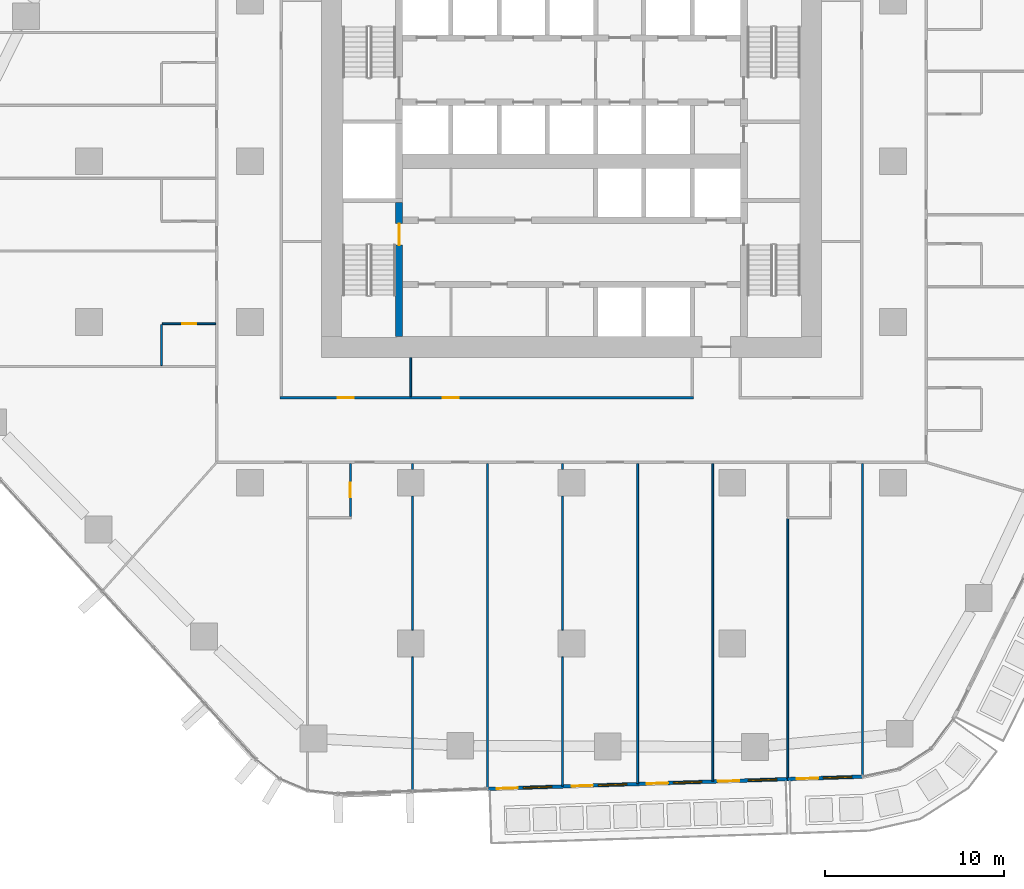
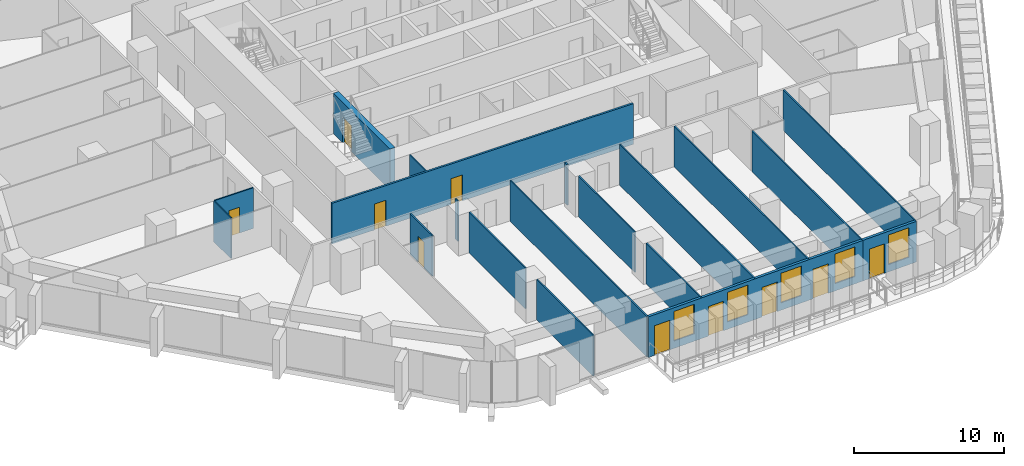
# One storey, part 13 of 27: 19 walls, 10 doors, 5 windows, 15 openings.
"""IFC4 building model written with IfcOpenShell, lengths in metres."""

import ifcopenshell
import ifcopenshell.guid

model = None  # the IFC model being written
_history = None  # IfcOwnerHistory: only IFC2X3 demands one
_inside = {}  # id of a spatial element -> (the spatial element, [elements in it])
_under = {}  # id of a project, library or spatial element -> (it, [spatial elements below it])
_declared = {}  # id of a project -> (the project, [libraries it declares])
_typed = {}  # id of a type object -> (the type object, [elements of that type])
_made_of = {}  # id of a material, layer set ... -> (it, [elements and type objects made of it])


def new_model(schema):
    """Start an empty IFC model of exactly this schema.

    Asked for "IFC4X3", IfcOpenShell would pick the latest addendum, in which some entities
    have other attributes; the version numbers below select the first issue.
    IFC2X3 requires an IfcOwnerHistory on every rooted entity: one is made here for all.
    """
    global model, _history
    if schema == "IFC4X3":
        model = ifcopenshell.file(schema_version=(4, 3, 0, 0))
    else:
        model = ifcopenshell.file(schema=schema)
    _inside.clear()
    _under.clear()
    _declared.clear()
    _typed.clear()
    _made_of.clear()
    _history = None
    if model.schema == "IFC2X3":
        org = make("IfcOrganization", Name="unknown")
        user = make(
            "IfcPersonAndOrganization",
            ThePerson=make("IfcPerson", FamilyName="unknown"),
            TheOrganization=org,
        )
        app = make(
            "IfcApplication",
            ApplicationDeveloper=org,
            Version="unknown",
            ApplicationFullName="unknown",
            ApplicationIdentifier="unknown",
        )
        _history = make(
            "IfcOwnerHistory",
            OwningUser=user,
            OwningApplication=app,
            ChangeAction="ADDED",
            CreationDate=0,
        )
    return model


def make(cls, **values):
    """One entity of the class cls with the attributes given. An attribute that is None is left unset."""
    return model.create_entity(
        cls, **{name: value for name, value in values.items() if value is not None}
    )


def rooted(cls, **values):
    """An entity with a GlobalId (a new one), such as an element, a storey or a relation."""
    return make(cls, GlobalId=ifcopenshell.guid.new(), OwnerHistory=_history, **values)


def si_unit(unit_type, name, prefix=None):
    """IfcSIUnit, for example si_unit("LENGTHUNIT", "METRE", prefix="MILLI")."""
    return make("IfcSIUnit", UnitType=unit_type, Prefix=prefix, Name=name)


def assignment(units):
    """IfcUnitAssignment: the units of a project."""
    return None if units is None else make("IfcUnitAssignment", Units=units)


def point(xyz):
    """IfcCartesianPoint."""
    return None if xyz is None else make("IfcCartesianPoint", Coordinates=xyz)


def direction(xyz):
    """IfcDirection."""
    return None if xyz is None else make("IfcDirection", DirectionRatios=xyz)


def frame(location, z_axis=None, x_axis=None):
    """IfcAxis2Placement3D, a coordinate frame: its origin and axes. An axis left out is left unset."""
    return make(
        "IfcAxis2Placement3D",
        Location=point(location),
        Axis=direction(z_axis),
        RefDirection=direction(x_axis),
    )


def frame_2d(location, x_axis=None):
    """IfcAxis2Placement2D, a coordinate frame in the plane: its origin and x axis."""
    return make(
        "IfcAxis2Placement2D", Location=point(location), RefDirection=direction(x_axis)
    )


def origin():
    """The frame at (0, 0, 0) with its axes left unset."""
    return frame((0.0, 0.0, 0.0))


def place(relative_to, where):
    """IfcLocalPlacement: puts the frame where relative to a parent placement (None: the world)."""
    return make(
        "IfcLocalPlacement", PlacementRelTo=relative_to, RelativePlacement=where
    )


def context(
    kind, dimensions, precision=None, world=None, true_north=None, identifier=None
):
    """IfcGeometricRepresentationContext, for example the 3D "Model" context."""
    return make(
        "IfcGeometricRepresentationContext",
        ContextIdentifier=identifier,
        ContextType=kind,
        CoordinateSpaceDimension=dimensions,
        Precision=precision,
        WorldCoordinateSystem=world,
        TrueNorth=true_north,
    )


def subcontext(parent, identifier, kind, view, scale=None):
    """IfcGeometricRepresentationSubContext, for example "Body" below "Model"."""
    return make(
        "IfcGeometricRepresentationSubContext",
        ContextIdentifier=identifier,
        ContextType=kind,
        ParentContext=parent,
        TargetScale=scale,
        TargetView=view,
    )


def project(units=None, contexts=None):
    """IfcProject with its units and contexts."""
    return rooted(
        "IfcProject",
        Name="project",
        RepresentationContexts=contexts,
        UnitsInContext=assignment(units),
    )


def spatial(cls, under=None, at=None, **own):
    """A site, building, storey or space (cls), placed at a placement, below another one or the project."""
    s = rooted(cls, ObjectPlacement=at, **own)
    if under is not None:
        _under.setdefault(under.id(), (under, []))[1].append(s)
    return s


def profile(cls, at=None, kind="AREA", **sizes):
    """A parametric profile (cls). Its sizes go by their IFC names, for example OverallWidth=200.0."""
    return make(cls, ProfileType=kind, Position=at, **sizes)


def rectangle(**sizes):
    """IfcRectangleProfileDef."""
    return profile("IfcRectangleProfileDef", **sizes)


def extrude(swept, where, along, depth):
    """IfcExtrudedAreaSolid: the profile swept, set in the frame where, extruded along a direction by depth."""
    return make(
        "IfcExtrudedAreaSolid",
        SweptArea=swept,
        Position=where,
        ExtrudedDirection=direction(along),
        Depth=depth,
    )


def shape(context_of_items, identifier, shape_type, items):
    """IfcShapeRepresentation: the items that make up one representation, for example the "Body"."""
    return make(
        "IfcShapeRepresentation",
        ContextOfItems=context_of_items,
        RepresentationIdentifier=identifier,
        RepresentationType=shape_type,
        Items=items,
    )


def material(Name=None, Category=None):
    """IfcMaterial."""
    return make("IfcMaterial", Name=Name, Category=Category)


def layer(
    of_material, thickness, ventilated=None, Name=None, Category=None, Priority=None
):
    """IfcMaterialLayer: one layer of a wall or slab, of a material (None: an air gap)."""
    return make(
        "IfcMaterialLayer",
        Material=of_material,
        LayerThickness=thickness,
        IsVentilated=ventilated,
        Name=Name,
        Category=Category,
        Priority=Priority,
    )


def layer_set(layers, Name=None):
    """IfcMaterialLayerSet."""
    return make("IfcMaterialLayerSet", MaterialLayers=layers, LayerSetName=Name)


def made_of(thing, what):
    """Note that an element or type object is made of a material, layer set ...; save() writes the relation."""
    if what is not None:
        _made_of.setdefault(what.id(), (what, []))[1].append(thing)
    return thing


def type_object(cls, material=None, **own):
    """A type object (cls), such as IfcWallType, which elements share."""
    return made_of(rooted(cls, **own), material)


def element(
    cls,
    number,
    at=None,
    inside=None,
    cuts=None,
    type_object=None,
    material=None,
    context=None,
    identifier="Body",
    shape_type=None,
    held_by="IfcProductDefinitionShape",
    body=None,
    shapes=None,
    **own,
):
    """One element of the class cls, such as IfcWall. Its Tag is "e" and its number.

    at: its placement. inside: the storey or other place that contains it. cuts: it is an
    opening in that element (IfcRelVoidsElement). A single representation is given by context,
    identifier, shape_type and body (its items); several are given by shapes. held_by: the class
    of the entity that holds the representations. save() writes the other relations.
    """
    e = rooted(cls, Tag="e%d" % number, ObjectPlacement=at, **own)
    if body is not None:
        shapes = [shape(context, identifier, shape_type, body)]
    if shapes is not None:
        e.Representation = make(held_by, Representations=shapes)
    if inside is not None:
        _inside.setdefault(inside.id(), (inside, []))[1].append(e)
    if cuts is not None:
        rooted(
            "IfcRelVoidsElement", RelatingBuildingElement=cuts, RelatedOpeningElement=e
        )
    if type_object is not None:
        _typed.setdefault(type_object.id(), (type_object, []))[1].append(e)
    return made_of(e, material)


def fill(opening, filler):
    """IfcRelFillsElement: the door or window that sits in an opening."""
    return rooted(
        "IfcRelFillsElement",
        RelatingOpeningElement=opening,
        RelatedBuildingElement=filler,
    )


def aggregate(whole, parts):
    """IfcRelAggregates: a whole, such as a stair, and the parts it consists of."""
    return rooted("IfcRelAggregates", RelatingObject=whole, RelatedObjects=parts)


def save(model, path):
    """Write the relations noted so far, then the file.

    IfcRelAggregates (storeys below a building ...), IfcRelContainedInSpatialStructure (elements
    in a storey), IfcRelDefinesByType, IfcRelAssociatesMaterial and IfcRelDeclares: one each for
    every whole, place, type object, material and project.
    """
    for whole, parts in _under.values():
        aggregate(whole, parts)
    for where, things in _inside.values():
        rooted(
            "IfcRelContainedInSpatialStructure",
            RelatedElements=things,
            RelatingStructure=where,
        )
    for kind, things in _typed.values():
        rooted("IfcRelDefinesByType", RelatedObjects=things, RelatingType=kind)
    for what, things in _made_of.values():
        rooted("IfcRelAssociatesMaterial", RelatedObjects=things, RelatingMaterial=what)
    for by, libraries in _declared.values():
        rooted("IfcRelDeclares", RelatingContext=by, RelatedDefinitions=libraries)
    model.write(path)


model = new_model("IFC4")

# Units and contexts
model_context = context("Model", 3, precision=1e-05, world=origin(), true_north=direction((0.0, 1.0)))
body_context = subcontext(model_context, "Body", "Model", "MODEL_VIEW")
ifc_project = project(units=[si_unit("LENGTHUNIT", "METRE"), si_unit("AREAUNIT", "SQUARE_METRE"), si_unit("VOLUMEUNIT", "CUBIC_METRE"), si_unit("PLANEANGLEUNIT", "RADIAN"), si_unit("MASSUNIT", "GRAM", prefix="KILO")], contexts=[model_context])

# Site, building, storey
site_placement = place(None, origin())
site = spatial("IfcSite", under=ifc_project, at=site_placement, CompositionType="ELEMENT")
building_placement = place(site_placement, origin())
building = spatial("IfcBuilding", under=site, at=building_placement, Name="Dongbaek Canopy Tower", CompositionType="ELEMENT")
storey_placement = place(building_placement, frame((0.0, 0.0, 58.800048828125)))
storey = spatial("IfcBuildingStorey", under=building, at=storey_placement, Name="L10", CompositionType="ELEMENT", Elevation=58.800048828125)

# Wall, openings, doors
ifc_material_1 = material(Name="Gypsum board partition, steel stud, 2 x 15 mm fire board", Category="steel")
ifc_layer_1 = layer(ifc_material_1, 0.14990234375)
ifc_layer_set_1 = layer_set([ifc_layer_1], Name="Fire-rated partition 150 gypsum board")
wall_type_1 = type_object("IfcWallType", Name="Fire-rated partition 150 gypsum board", PredefinedType="PARTITIONING", material=ifc_layer_set_1)
wall_1_placement = place(storey_placement, frame((-16.324951171875, -13.25, 0.0), z_axis=(0.0, 0.0, 1.0), x_axis=(1.0, 0.0, 0.0)))
wall_1 = element("IfcWall", 1, at=wall_1_placement, inside=storey, type_object=wall_type_1, Name="Corridor partition", PredefinedType="PARTITIONING", context=body_context, shape_type="SweptSolid", body=[
    extrude(rectangle(XDim=23.14990234375, YDim=0.14990234375, at=frame_2d((11.574951171875, 0.0))), origin(), (0.0, 0.0, 1.0), 3.300048828125),
])
opening_1_placement = place(wall_1_placement, frame((3.25, 0.0, 0.0)))
opening_1 = element("IfcOpeningElement", 2, at=opening_1_placement, cuts=wall_1, Name="Opening L10-D036", PredefinedType="OPENING", context=body_context, shape_type="SweptSolid", body=[
    extrude(rectangle(XDim=0.89990234375, YDim=2.10009765625, at=frame_2d((0.449951171875, 1.050048828125))), frame((0.0, 0.0849609375, 0.0), z_axis=(0.0, -1.0, 0.0), x_axis=(1.0, 0.0, 0.0)), (0.0, 0.0, 1.0), 0.169921875),
])
opening_2_placement = place(wall_1_placement, frame((9.125, 0.0, 0.0)))
opening_2 = element("IfcOpeningElement", 3, at=opening_2_placement, cuts=wall_1, Name="Opening L10-D037", PredefinedType="OPENING", context=body_context, shape_type="SweptSolid", body=[
    extrude(rectangle(XDim=0.89990234375, YDim=2.10009765625, at=frame_2d((0.449951171875, 1.050048828125))), frame((0.0, 0.0849609375, 0.0), z_axis=(0.0, -1.0, 0.0), x_axis=(1.0, 0.0, 0.0)), (0.0, 0.0, 1.0), 0.169921875),
])
ifc_material_2 = material(Name="Timber veneered door leaf", Category="wood")
door_type_1 = type_object("IfcDoorType", Name="Room door 900 x 2100", OperationType="SINGLE_SWING_LEFT", PredefinedType="DOOR", material=ifc_material_2)
door_1_placement = place(opening_1_placement, origin())
door_1 = element("IfcDoor", 4, at=door_1_placement, inside=storey, type_object=door_type_1, Name="Door L10-D036", OperationType="SINGLE_SWING_LEFT", OverallHeight=2.10009765625, OverallWidth=0.89990234375, PredefinedType="DOOR", context=body_context, shape_type="SweptSolid", body=[
    extrude(rectangle(XDim=0.89990234375, YDim=2.10009765625, at=frame_2d((0.449951171875, 1.050048828125))), frame((0.0, 0.02490234375, 0.0), z_axis=(0.0, -1.0, 0.0), x_axis=(1.0, 0.0, 0.0)), (0.0, 0.0, 1.0), 0.050048828125),
])
fill(opening_1, door_1)
door_2_placement = place(opening_2_placement, origin())
door_2 = element("IfcDoor", 5, at=door_2_placement, inside=storey, type_object=door_type_1, Name="Door L10-D037", OperationType="SINGLE_SWING_RIGHT", OverallHeight=2.10009765625, OverallWidth=0.89990234375, PredefinedType="DOOR", context=body_context, shape_type="SweptSolid", body=[
    extrude(rectangle(XDim=0.89990234375, YDim=2.10009765625, at=frame_2d((0.449951171875, 1.050048828125))), frame((0.0, 0.02490234375, 0.0), z_axis=(0.0, -1.0, 0.0), x_axis=(1.0, 0.0, 0.0)), (0.0, 0.0, 1.0), 0.050048828125),
])
fill(opening_2, door_2)

# Wall, opening, door
ifc_material_3 = material(Name="Gypsum board partition, steel stud, 2 x 12.5 mm board", Category="steel")
ifc_layer_2 = layer(ifc_material_3, 0.10009765625)
ifc_layer_set_2 = layer_set([ifc_layer_2], Name="Partition 100 gypsum board")
wall_type_2 = type_object("IfcWallType", Name="Partition 100 gypsum board", PredefinedType="PARTITIONING", material=ifc_layer_set_2)
wall_2_placement = place(storey_placement, frame((-19.925048828125, -9.097900390625, 0.0), z_axis=(0.0, 0.0, 1.0), x_axis=(-1.0, 0.0, 0.0)))
wall_2 = element("IfcWall", 6, at=wall_2_placement, inside=storey, type_object=wall_type_2, Name="Partition", PredefinedType="PARTITIONING", context=body_context, shape_type="SweptSolid", body=[
    extrude(rectangle(XDim=2.974853515625, YDim=0.10009765625, at=frame_2d((1.4873046875, 0.0))), origin(), (0.0, 0.0, 1.0), 3.300048828125),
])
opening_3_placement = place(wall_2_placement, frame((1.074951171875, 0.0, 0.0)))
opening_3 = element("IfcOpeningElement", 7, at=opening_3_placement, cuts=wall_2, Name="Opening L10-D003", PredefinedType="OPENING", context=body_context, shape_type="SweptSolid", body=[
    extrude(rectangle(XDim=0.800048828125, YDim=2.10009765625, at=frame_2d((0.39990234375, 1.050048828125))), frame((0.0, 0.06005859375, 0.0), z_axis=(0.0, -1.0, 0.0), x_axis=(1.0, 0.0, 0.0)), (0.0, 0.0, 1.0), 0.1201171875),
])
ifc_material_4 = material(Name="Timber veneered door leaf", Category="wood")
door_type_2 = type_object("IfcDoorType", Name="En-suite door 800 x 2100", OperationType="SINGLE_SWING_LEFT", PredefinedType="DOOR", material=ifc_material_4)
door_3_placement = place(opening_3_placement, origin())
door_3 = element("IfcDoor", 8, at=door_3_placement, inside=storey, type_object=door_type_2, Name="Door L10-D003", OperationType="SINGLE_SWING_RIGHT", OverallHeight=2.10009765625, OverallWidth=0.800048828125, PredefinedType="DOOR", context=body_context, shape_type="SweptSolid", body=[
    extrude(rectangle(XDim=0.800048828125, YDim=2.10009765625, at=frame_2d((0.39990234375, 1.050048828125))), frame((0.0, 0.02490234375, 0.0), z_axis=(0.0, -1.0, 0.0), x_axis=(1.0, 0.0, 0.0)), (0.0, 0.0, 1.0), 0.050048828125),
])
fill(opening_3, door_3)

# Walls
wall_3_placement = place(storey_placement, frame((16.2890625, -34.429931640625, 0.0), z_axis=(0.0, 0.0, 1.0), x_axis=(0.0, 1.0, 0.0)))
element("IfcWall", 9, at=wall_3_placement, inside=storey, type_object=wall_type_2, Name="Partition", PredefinedType="PARTITIONING", context=body_context, shape_type="SweptSolid", body=[
    extrude(rectangle(XDim=17.5048828125, YDim=0.10009765625, at=frame_2d((8.75244140625, 0.0))), origin(), (0.0, 0.0, 1.0), 3.300048828125),
])
wall_4_placement = place(storey_placement, frame((12.09912109375, -34.5673828125, 0.0), z_axis=(0.0, 0.0, 1.0), x_axis=(0.0, 1.0, 0.0)))
element("IfcWall", 10, at=wall_4_placement, inside=storey, type_object=wall_type_2, Name="Partition", PredefinedType="PARTITIONING", context=body_context, shape_type="SweptSolid", body=[
    extrude(rectangle(XDim=14.5673828125, YDim=0.10009765625, at=frame_2d((7.28369140625, 0.0))), origin(), (0.0, 0.0, 1.0), 3.300048828125),
])
wall_5_placement = place(storey_placement, frame((7.89990234375, -34.704345703125, 0.0), z_axis=(0.0, 0.0, 1.0), x_axis=(0.0, 1.0, 0.0)))
element("IfcWall", 11, at=wall_5_placement, inside=storey, type_object=wall_type_2, Name="Partition", PredefinedType="PARTITIONING", context=body_context, shape_type="SweptSolid", body=[
    extrude(rectangle(XDim=17.779296875, YDim=0.10009765625, at=frame_2d((8.8896484375, 0.0))), origin(), (0.0, 0.0, 1.0), 3.300048828125),
])
wall_6_placement = place(storey_placement, frame((3.700927734375, -34.841552734375, 0.0), z_axis=(0.0, 0.0, 1.0), x_axis=(0.0, 1.0, 0.0)))
element("IfcWall", 12, at=wall_6_placement, inside=storey, type_object=wall_type_2, Name="Partition", PredefinedType="PARTITIONING", context=body_context, shape_type="SweptSolid", body=[
    extrude(rectangle(XDim=17.91650390625, YDim=0.10009765625, at=frame_2d((8.958251953125, 0.0))), origin(), (0.0, 0.0, 1.0), 3.300048828125),
])
wall_7_placement = place(storey_placement, frame((-0.498046875, -34.978759765625, 0.0), z_axis=(0.0, 0.0, 1.0), x_axis=(0.0, 1.0, 0.0)))
element("IfcWall", 13, at=wall_7_placement, inside=storey, type_object=wall_type_2, Name="Partition", PredefinedType="PARTITIONING", context=body_context, shape_type="SweptSolid", body=[
    extrude(rectangle(XDim=7.228759765625, YDim=0.10009765625, at=frame_2d((3.6142578125, 0.0))), origin(), (0.0, 0.0, 1.0), 3.300048828125),
])
wall_8_placement = place(storey_placement, frame((-0.498046875, -26.25, 0.0), z_axis=(0.0, 0.0, 1.0), x_axis=(0.0, 1.0, 0.0)))
element("IfcWall", 14, at=wall_8_placement, inside=storey, type_object=wall_type_2, Name="Partition", PredefinedType="PARTITIONING", context=body_context, shape_type="SweptSolid", body=[
    extrude(rectangle(XDim=7.5, YDim=0.10009765625, at=frame_2d((3.75, 0.0))), origin(), (0.0, 0.0, 1.0), 3.300048828125),
])
wall_9_placement = place(storey_placement, frame((-0.498046875, -17.25, 0.0), z_axis=(0.0, 0.0, 1.0), x_axis=(0.0, 1.0, 0.0)))
element("IfcWall", 15, at=wall_9_placement, inside=storey, type_object=wall_type_2, Name="Partition", PredefinedType="PARTITIONING", context=body_context, shape_type="SweptSolid", body=[
    extrude(rectangle(XDim=0.324951171875, YDim=0.10009765625, at=frame_2d((0.16259765625, 0.0))), origin(), (0.0, 0.0, 1.0), 3.300048828125),
])
wall_10_placement = place(storey_placement, frame((-4.696044921875, -35.11572265625, 0.0), z_axis=(0.0, 0.0, 1.0), x_axis=(0.0, 1.0, 0.0)))
element("IfcWall", 16, at=wall_10_placement, inside=storey, type_object=wall_type_2, Name="Partition", PredefinedType="PARTITIONING", context=body_context, shape_type="SweptSolid", body=[
    extrude(rectangle(XDim=18.190673828125, YDim=0.10009765625, at=frame_2d((9.09521484375, 0.0))), origin(), (0.0, 0.0, 1.0), 3.300048828125),
])
wall_11_placement = place(storey_placement, frame((-8.89501953125, -35.2529296875, 0.0), z_axis=(0.0, 0.0, 1.0), x_axis=(0.0, 1.0, 0.0)))
element("IfcWall", 17, at=wall_11_placement, inside=storey, type_object=wall_type_2, Name="Partition", PredefinedType="PARTITIONING", context=body_context, shape_type="SweptSolid", body=[
    extrude(rectangle(XDim=7.5029296875, YDim=0.10009765625, at=frame_2d((3.75146484375, 0.0))), origin(), (0.0, 0.0, 1.0), 3.300048828125),
])
wall_12_placement = place(storey_placement, frame((-8.89501953125, -26.25, 0.0), z_axis=(0.0, 0.0, 1.0), x_axis=(0.0, 1.0, 0.0)))
element("IfcWall", 18, at=wall_12_placement, inside=storey, type_object=wall_type_2, Name="Partition", PredefinedType="PARTITIONING", context=body_context, shape_type="SweptSolid", body=[
    extrude(rectangle(XDim=7.5, YDim=0.10009765625, at=frame_2d((3.75, 0.0))), origin(), (0.0, 0.0, 1.0), 3.300048828125),
])
wall_13_placement = place(storey_placement, frame((-8.89501953125, -17.25, 0.0), z_axis=(0.0, 0.0, 1.0), x_axis=(0.0, 1.0, 0.0)))
element("IfcWall", 19, at=wall_13_placement, inside=storey, type_object=wall_type_2, Name="Partition", PredefinedType="PARTITIONING", context=body_context, shape_type="SweptSolid", body=[
    extrude(rectangle(XDim=0.324951171875, YDim=0.10009765625, at=frame_2d((0.16259765625, 0.0))), origin(), (0.0, 0.0, 1.0), 3.300048828125),
])
wall_14_placement = place(storey_placement, frame((-9.0, -13.175048828125, 0.0), z_axis=(0.0, 0.0, 1.0), x_axis=(0.0, 1.0, 0.0)))
element("IfcWall", 20, at=wall_14_placement, inside=storey, type_object=wall_type_2, Name="Partition", PredefinedType="PARTITIONING", context=body_context, shape_type="SweptSolid", body=[
    extrude(rectangle(XDim=2.175048828125, YDim=0.10009765625, at=frame_2d((1.08740234375, 0.0))), origin(), (0.0, 0.0, 1.0), 3.300048828125),
])

# Wall, opening, door
wall_15_placement = place(storey_placement, frame((-12.3740234375, -19.89990234375, 0.0), z_axis=(0.0, 0.0, 1.0), x_axis=(0.0, 1.0, 0.0)))
wall_15 = element("IfcWall", 21, at=wall_15_placement, inside=storey, type_object=wall_type_2, Name="Partition", PredefinedType="PARTITIONING", context=body_context, shape_type="SweptSolid", body=[
    extrude(rectangle(XDim=2.974853515625, YDim=0.10009765625, at=frame_2d((1.4873046875, 0.0))), origin(), (0.0, 0.0, 1.0), 3.300048828125),
])
opening_4_placement = place(wall_15_placement, frame((1.10009765625, 0.0, 0.0)))
opening_4 = element("IfcOpeningElement", 22, at=opening_4_placement, cuts=wall_15, Name="Opening L10-D007", PredefinedType="OPENING", context=body_context, shape_type="SweptSolid", body=[
    extrude(rectangle(XDim=0.800048828125, YDim=2.10009765625, at=frame_2d((0.39990234375, 1.050048828125))), frame((0.0, 0.06005859375, 0.0), z_axis=(0.0, -1.0, 0.0), x_axis=(1.0, 0.0, 0.0)), (0.0, 0.0, 1.0), 0.1201171875),
])
door_4_placement = place(opening_4_placement, origin())
door_4 = element("IfcDoor", 23, at=door_4_placement, inside=storey, type_object=door_type_2, Name="Door L10-D007", OperationType="SINGLE_SWING_LEFT", OverallHeight=2.10009765625, OverallWidth=0.800048828125, PredefinedType="DOOR", context=body_context, shape_type="SweptSolid", body=[
    extrude(rectangle(XDim=0.800048828125, YDim=2.10009765625, at=frame_2d((0.39990234375, 1.050048828125))), frame((0.0, 0.02490234375, 0.0), z_axis=(0.0, -1.0, 0.0), x_axis=(1.0, 0.0, 0.0)), (0.0, 0.0, 1.0), 0.050048828125),
])
fill(opening_4, door_4)

# Wall
wall_16_placement = place(storey_placement, frame((-22.949951171875, -11.447509765625, 0.0), z_axis=(0.0, 0.0, 1.0), x_axis=(0.0, 1.0, 0.0)))
element("IfcWall", 24, at=wall_16_placement, inside=storey, type_object=wall_type_2, Name="Partition", PredefinedType="PARTITIONING", context=body_context, shape_type="SweptSolid", body=[
    extrude(rectangle(XDim=2.2998046875, YDim=0.10009765625, at=frame_2d((1.14990234375, 0.0))), origin(), (0.0, 0.0, 1.0), 3.300048828125),
])

# Wall, opening, door
ifc_material_5 = material(Name="Concrete C60/75", Category="concrete")
ifc_layer_3 = layer(ifc_material_5, 0.39990234375)
ifc_layer_set_3 = layer_set([ifc_layer_3], Name="Stair wall 400 Concrete C60/75")
wall_type_3 = type_object("IfcWallType", Name="Stair wall 400 Concrete C60/75", PredefinedType="SHEAR", material=ifc_layer_set_3)
wall_17_placement = place(storey_placement, frame((-9.64990234375, -9.800048828125, 0.0), z_axis=(0.0, 0.0, 1.0), x_axis=(0.0, 1.0, 0.0)))
wall_17 = element("IfcWall", 25, at=wall_17_placement, inside=storey, type_object=wall_type_3, Name="Stair wall", PredefinedType="SHEAR", context=body_context, shape_type="SweptSolid", body=[
    extrude(rectangle(XDim=7.5, YDim=0.39990234375, at=frame_2d((3.75, 0.0))), origin(), (0.0, 0.0, 1.0), 3.300048828125),
])
opening_5_placement = place(wall_17_placement, frame((5.10009765625, 0.0, 0.0)))
opening_5 = element("IfcOpeningElement", 26, at=opening_5_placement, cuts=wall_17, Name="Opening L10-D071", PredefinedType="OPENING", context=body_context, shape_type="SweptSolid", body=[
    extrude(rectangle(XDim=1.199951171875, YDim=2.10009765625, at=frame_2d((0.60009765625, 1.050048828125))), frame((0.0, 0.2099609375, 0.0), z_axis=(0.0, -1.0, 0.0), x_axis=(1.0, 0.0, 0.0)), (0.0, 0.0, 1.0), 0.419921875),
])
ifc_material_6 = material(Name="Steel", Category="steel")
door_type_3 = type_object("IfcDoorType", Name="Stair door 1200 x 2100", OperationType="SINGLE_SWING_LEFT", PredefinedType="DOOR", material=ifc_material_6)
door_5_placement = place(opening_5_placement, origin())
door_5 = element("IfcDoor", 27, at=door_5_placement, inside=storey, type_object=door_type_3, Name="Stair D door", OperationType="SINGLE_SWING_LEFT", OverallHeight=2.10009765625, OverallWidth=1.199951171875, PredefinedType="DOOR", context=body_context, shape_type="SweptSolid", body=[
    extrude(rectangle(XDim=1.199951171875, YDim=2.10009765625, at=frame_2d((0.60009765625, 1.050048828125))), frame((0.0, 0.02490234375, 0.0), z_axis=(0.0, -1.0, 0.0), x_axis=(1.0, 0.0, 0.0)), (0.0, 0.0, 1.0), 0.050048828125),
])
fill(opening_5, door_5)

# Wall, openings, doors, windows
ifc_material_7 = material(Name="Aluminium window wall", Category="aluminium")
ifc_layer_4 = layer(ifc_material_7, 0.199951171875)
ifc_layer_set_4 = layer_set([ifc_layer_4], Name="Window wall 200")
wall_type_4 = type_object("IfcWallType", Name="Window wall 200", PredefinedType="SOLIDWALL", material=ifc_layer_set_4)
wall_18_placement = place(storey_placement, frame((-4.696533203125, -35.1357421875, 0.0), z_axis=(0.0, 0.0, 1.0), x_axis=(0.999466983916, 0.032645796998, 0.0)))
wall_18 = element("IfcWall", 28, at=wall_18_placement, inside=storey, type_object=wall_type_4, Name="Window wall L10 4", PredefinedType="SOLIDWALL", context=body_context, shape_type="SweptSolid", body=[
    extrude(rectangle(XDim=16.80419921875, YDim=0.199951171875, at=frame_2d((8.402099609375, 0.0))), origin(), (0.0, 0.0, 1.0), 3.300048828125),
])
opening_6_placement = place(wall_18_placement, frame((2.0, 0.0, 0.60009765625)))
opening_6 = element("IfcOpeningElement", 29, at=opening_6_placement, cuts=wall_18, Name="Opening W1", PredefinedType="OPENING", context=body_context, shape_type="SweptSolid", body=[
    extrude(rectangle(XDim=1.60009765625, YDim=2.39990234375, at=frame_2d((0.800048828125, 1.199951171875))), frame((0.0, 0.10986328125, 0.0), z_axis=(0.0, -1.0, 0.0), x_axis=(1.0, 0.0, 0.0)), (0.0, 0.0, 1.0), 0.219970703125),
])
opening_7_placement = place(wall_18_placement, frame((0.5, 0.0, 0.0)))
opening_7 = element("IfcOpeningElement", 30, at=opening_7_placement, cuts=wall_18, Name="Opening L10-B18", PredefinedType="OPENING", context=body_context, shape_type="SweptSolid", body=[
    extrude(rectangle(XDim=1.199951171875, YDim=2.39990234375, at=frame_2d((0.60009765625, 1.199951171875))), frame((0.0, 0.10986328125, 0.0), z_axis=(0.0, -1.0, 0.0), x_axis=(1.0, 0.0, 0.0)), (0.0, 0.0, 1.0), 0.219970703125),
])
opening_8_placement = place(wall_18_placement, frame((6.200927734375, 0.0, 0.60009765625)))
opening_8 = element("IfcOpeningElement", 31, at=opening_8_placement, cuts=wall_18, Name="Opening W1", PredefinedType="OPENING", context=body_context, shape_type="SweptSolid", body=[
    extrude(rectangle(XDim=1.60009765625, YDim=2.39990234375, at=frame_2d((0.800048828125, 1.199951171875))), frame((0.0, 0.10986328125, 0.0), z_axis=(0.0, -1.0, 0.0), x_axis=(1.0, 0.0, 0.0)), (0.0, 0.0, 1.0), 0.219970703125),
])
opening_9_placement = place(wall_18_placement, frame((4.700927734375, 0.0, 0.0)))
opening_9 = element("IfcOpeningElement", 32, at=opening_9_placement, cuts=wall_18, Name="Opening L10-B19", PredefinedType="OPENING", context=body_context, shape_type="SweptSolid", body=[
    extrude(rectangle(XDim=1.199951171875, YDim=2.39990234375, at=frame_2d((0.60009765625, 1.199951171875))), frame((0.0, 0.10986328125, 0.0), z_axis=(0.0, -1.0, 0.0), x_axis=(1.0, 0.0, 0.0)), (0.0, 0.0, 1.0), 0.219970703125),
])
opening_10_placement = place(wall_18_placement, frame((10.402099609375, 0.0, 0.60009765625)))
opening_10 = element("IfcOpeningElement", 33, at=opening_10_placement, cuts=wall_18, Name="Opening W1", PredefinedType="OPENING", context=body_context, shape_type="SweptSolid", body=[
    extrude(rectangle(XDim=1.60009765625, YDim=2.39990234375, at=frame_2d((0.800048828125, 1.199951171875))), frame((0.0, 0.10986328125, 0.0), z_axis=(0.0, -1.0, 0.0), x_axis=(1.0, 0.0, 0.0)), (0.0, 0.0, 1.0), 0.219970703125),
])
opening_11_placement = place(wall_18_placement, frame((8.902099609375, 0.0, 0.0)))
opening_11 = element("IfcOpeningElement", 34, at=opening_11_placement, cuts=wall_18, Name="Opening L10-B20", PredefinedType="OPENING", context=body_context, shape_type="SweptSolid", body=[
    extrude(rectangle(XDim=1.199951171875, YDim=2.39990234375, at=frame_2d((0.60009765625, 1.199951171875))), frame((0.0, 0.10986328125, 0.0), z_axis=(0.0, -1.0, 0.0), x_axis=(1.0, 0.0, 0.0)), (0.0, 0.0, 1.0), 0.219970703125),
])
opening_12_placement = place(wall_18_placement, frame((14.60302734375, 0.0, 0.60009765625)))
opening_12 = element("IfcOpeningElement", 35, at=opening_12_placement, cuts=wall_18, Name="Opening W1", PredefinedType="OPENING", context=body_context, shape_type="SweptSolid", body=[
    extrude(rectangle(XDim=1.60009765625, YDim=2.39990234375, at=frame_2d((0.800048828125, 1.199951171875))), frame((0.0, 0.10986328125, 0.0), z_axis=(0.0, -1.0, 0.0), x_axis=(1.0, 0.0, 0.0)), (0.0, 0.0, 1.0), 0.219970703125),
])
opening_13_placement = place(wall_18_placement, frame((12.903076171875, 0.0, 0.0)))
opening_13 = element("IfcOpeningElement", 36, at=opening_13_placement, cuts=wall_18, Name="Opening L10-B21", PredefinedType="OPENING", context=body_context, shape_type="SweptSolid", body=[
    extrude(rectangle(XDim=1.199951171875, YDim=2.39990234375, at=frame_2d((0.60009765625, 1.199951171875))), frame((0.0, 0.10986328125, 0.0), z_axis=(0.0, -1.0, 0.0), x_axis=(1.0, 0.0, 0.0)), (0.0, 0.0, 1.0), 0.219970703125),
])
ifc_material_8 = material(Name="Clear glazing in aluminium frame", Category="aluminium")
door_type_4 = type_object("IfcDoorType", Name="Balcony door BD1 1200 x 2400", OperationType="SLIDING_TO_LEFT", PredefinedType="DOOR", material=ifc_material_8)
door_6_placement = place(opening_7_placement, origin())
door_6 = element("IfcDoor", 37, at=door_6_placement, inside=storey, type_object=door_type_4, Name="Balcony door L10-B18", OperationType="SLIDING_TO_LEFT", OverallHeight=2.39990234375, OverallWidth=1.199951171875, PredefinedType="DOOR", context=body_context, shape_type="SweptSolid", body=[
    extrude(rectangle(XDim=1.199951171875, YDim=2.39990234375, at=frame_2d((0.60009765625, 1.199951171875))), frame((0.0, 0.02490234375, 0.0), z_axis=(0.0, -1.0, 0.0), x_axis=(1.0, 0.0, 0.0)), (0.0, 0.0, 1.0), 0.050048828125),
])
fill(opening_7, door_6)
door_7_placement = place(opening_9_placement, origin())
door_7 = element("IfcDoor", 38, at=door_7_placement, inside=storey, type_object=door_type_4, Name="Balcony door L10-B19", OperationType="SLIDING_TO_LEFT", OverallHeight=2.39990234375, OverallWidth=1.199951171875, PredefinedType="DOOR", context=body_context, shape_type="SweptSolid", body=[
    extrude(rectangle(XDim=1.199951171875, YDim=2.39990234375, at=frame_2d((0.60009765625, 1.199951171875))), frame((0.0, 0.02490234375, 0.0), z_axis=(0.0, -1.0, 0.0), x_axis=(1.0, 0.0, 0.0)), (0.0, 0.0, 1.0), 0.050048828125),
])
fill(opening_9, door_7)
door_8_placement = place(opening_11_placement, origin())
door_8 = element("IfcDoor", 39, at=door_8_placement, inside=storey, type_object=door_type_4, Name="Balcony door L10-B20", OperationType="SLIDING_TO_LEFT", OverallHeight=2.39990234375, OverallWidth=1.199951171875, PredefinedType="DOOR", context=body_context, shape_type="SweptSolid", body=[
    extrude(rectangle(XDim=1.199951171875, YDim=2.39990234375, at=frame_2d((0.60009765625, 1.199951171875))), frame((0.0, 0.02490234375, 0.0), z_axis=(0.0, -1.0, 0.0), x_axis=(1.0, 0.0, 0.0)), (0.0, 0.0, 1.0), 0.050048828125),
])
fill(opening_11, door_8)
door_9_placement = place(opening_13_placement, origin())
door_9 = element("IfcDoor", 40, at=door_9_placement, inside=storey, type_object=door_type_4, Name="Balcony door L10-B21", OperationType="SLIDING_TO_LEFT", OverallHeight=2.39990234375, OverallWidth=1.199951171875, PredefinedType="DOOR", context=body_context, shape_type="SweptSolid", body=[
    extrude(rectangle(XDim=1.199951171875, YDim=2.39990234375, at=frame_2d((0.60009765625, 1.199951171875))), frame((0.0, 0.02490234375, 0.0), z_axis=(0.0, -1.0, 0.0), x_axis=(1.0, 0.0, 0.0)), (0.0, 0.0, 1.0), 0.050048828125),
])
fill(opening_13, door_9)
ifc_material_9 = material(Name="Clear glazing in aluminium frame", Category="aluminium")
window_type = type_object("IfcWindowType", Name="Window W1 1600 x 2400", PartitioningType="SINGLE_PANEL", PredefinedType="WINDOW", material=ifc_material_9)
window_1_placement = place(opening_6_placement, origin())
window_1 = element("IfcWindow", 41, at=window_1_placement, inside=storey, type_object=window_type, Name="Window L10 4.1", OverallHeight=2.39990234375, OverallWidth=1.60009765625, PartitioningType="SINGLE_PANEL", PredefinedType="WINDOW", context=body_context, shape_type="SweptSolid", body=[
    extrude(rectangle(XDim=1.60009765625, YDim=2.39990234375, at=frame_2d((0.800048828125, 1.199951171875))), frame((0.0, 0.030029296875, 0.0), z_axis=(0.0, -1.0, 0.0), x_axis=(1.0, 0.0, 0.0)), (0.0, 0.0, 1.0), 0.06005859375),
])
fill(opening_6, window_1)
window_2_placement = place(opening_8_placement, origin())
window_2 = element("IfcWindow", 42, at=window_2_placement, inside=storey, type_object=window_type, Name="Window L10 4.2", OverallHeight=2.39990234375, OverallWidth=1.60009765625, PartitioningType="SINGLE_PANEL", PredefinedType="WINDOW", context=body_context, shape_type="SweptSolid", body=[
    extrude(rectangle(XDim=1.60009765625, YDim=2.39990234375, at=frame_2d((0.800048828125, 1.199951171875))), frame((0.0, 0.030029296875, 0.0), z_axis=(0.0, -1.0, 0.0), x_axis=(1.0, 0.0, 0.0)), (0.0, 0.0, 1.0), 0.06005859375),
])
fill(opening_8, window_2)
window_3_placement = place(opening_10_placement, origin())
window_3 = element("IfcWindow", 43, at=window_3_placement, inside=storey, type_object=window_type, Name="Window L10 4.3", OverallHeight=2.39990234375, OverallWidth=1.60009765625, PartitioningType="SINGLE_PANEL", PredefinedType="WINDOW", context=body_context, shape_type="SweptSolid", body=[
    extrude(rectangle(XDim=1.60009765625, YDim=2.39990234375, at=frame_2d((0.800048828125, 1.199951171875))), frame((0.0, 0.030029296875, 0.0), z_axis=(0.0, -1.0, 0.0), x_axis=(1.0, 0.0, 0.0)), (0.0, 0.0, 1.0), 0.06005859375),
])
fill(opening_10, window_3)
window_4_placement = place(opening_12_placement, origin())
window_4 = element("IfcWindow", 44, at=window_4_placement, inside=storey, type_object=window_type, Name="Window L10 4.4", OverallHeight=2.39990234375, OverallWidth=1.60009765625, PartitioningType="SINGLE_PANEL", PredefinedType="WINDOW", context=body_context, shape_type="SweptSolid", body=[
    extrude(rectangle(XDim=1.60009765625, YDim=2.39990234375, at=frame_2d((0.800048828125, 1.199951171875))), frame((0.0, 0.030029296875, 0.0), z_axis=(0.0, -1.0, 0.0), x_axis=(1.0, 0.0, 0.0)), (0.0, 0.0, 1.0), 0.06005859375),
])
fill(opening_12, window_4)

# Wall, openings, door, window
wall_19_placement = place(storey_placement, frame((12.0986328125, -34.587158203125, 0.0), z_axis=(0.0, 0.0, 1.0), x_axis=(0.999468058802, 0.032612872214, 0.0)))
wall_19 = element("IfcWall", 45, at=wall_19_placement, inside=storey, type_object=wall_type_4, Name="Window wall L10 8", PredefinedType="SOLIDWALL", context=body_context, shape_type="SweptSolid", body=[
    extrude(rectangle(XDim=4.192138671875, YDim=0.199951171875, at=frame_2d((2.09619140625, 0.0))), origin(), (0.0, 0.0, 1.0), 3.300048828125),
])
opening_14_placement = place(wall_19_placement, frame((2.0, 0.0, 0.60009765625)))
opening_14 = element("IfcOpeningElement", 46, at=opening_14_placement, cuts=wall_19, Name="Opening W1", PredefinedType="OPENING", context=body_context, shape_type="SweptSolid", body=[
    extrude(rectangle(XDim=1.60009765625, YDim=2.39990234375, at=frame_2d((0.800048828125, 1.199951171875))), frame((0.0, 0.10986328125, 0.0), z_axis=(0.0, -1.0, 0.0), x_axis=(1.0, 0.0, 0.0)), (0.0, 0.0, 1.0), 0.219970703125),
])
opening_15_placement = place(wall_19_placement, frame((0.5, 0.0, 0.0)))
opening_15 = element("IfcOpeningElement", 47, at=opening_15_placement, cuts=wall_19, Name="Opening L10-B22", PredefinedType="OPENING", context=body_context, shape_type="SweptSolid", body=[
    extrude(rectangle(XDim=1.199951171875, YDim=2.39990234375, at=frame_2d((0.60009765625, 1.199951171875))), frame((0.0, 0.10986328125, 0.0), z_axis=(0.0, -1.0, 0.0), x_axis=(1.0, 0.0, 0.0)), (0.0, 0.0, 1.0), 0.219970703125),
])
door_10_placement = place(opening_15_placement, origin())
door_10 = element("IfcDoor", 48, at=door_10_placement, inside=storey, type_object=door_type_4, Name="Balcony door L10-B22", OperationType="SLIDING_TO_LEFT", OverallHeight=2.39990234375, OverallWidth=1.199951171875, PredefinedType="DOOR", context=body_context, shape_type="SweptSolid", body=[
    extrude(rectangle(XDim=1.199951171875, YDim=2.39990234375, at=frame_2d((0.60009765625, 1.199951171875))), frame((0.0, 0.02490234375, 0.0), z_axis=(0.0, -1.0, 0.0), x_axis=(1.0, 0.0, 0.0)), (0.0, 0.0, 1.0), 0.050048828125),
])
fill(opening_15, door_10)
window_5_placement = place(opening_14_placement, origin())
window_5 = element("IfcWindow", 49, at=window_5_placement, inside=storey, type_object=window_type, Name="Window L10 8.1", OverallHeight=2.39990234375, OverallWidth=1.60009765625, PartitioningType="SINGLE_PANEL", PredefinedType="WINDOW", context=body_context, shape_type="SweptSolid", body=[
    extrude(rectangle(XDim=1.60009765625, YDim=2.39990234375, at=frame_2d((0.800048828125, 1.199951171875))), frame((0.0, 0.030029296875, 0.0), z_axis=(0.0, -1.0, 0.0), x_axis=(1.0, 0.0, 0.0)), (0.0, 0.0, 1.0), 0.06005859375),
])
fill(opening_14, window_5)

save(model, "model.ifc")
